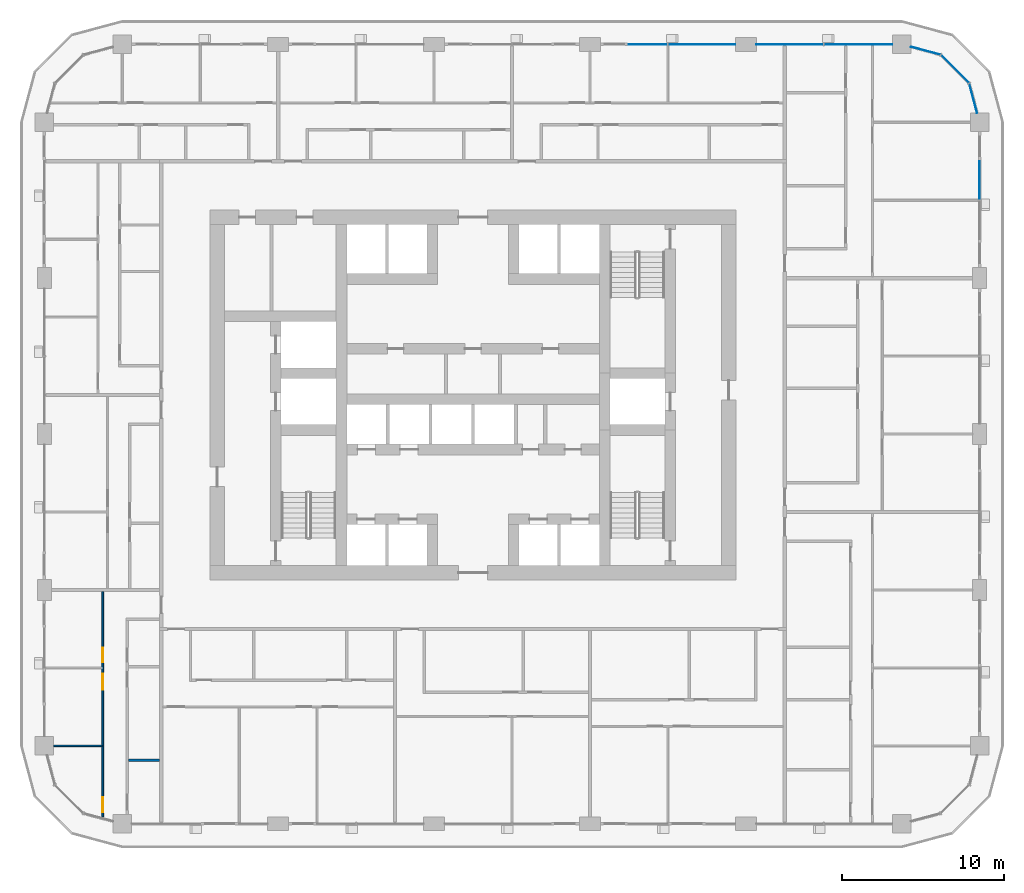
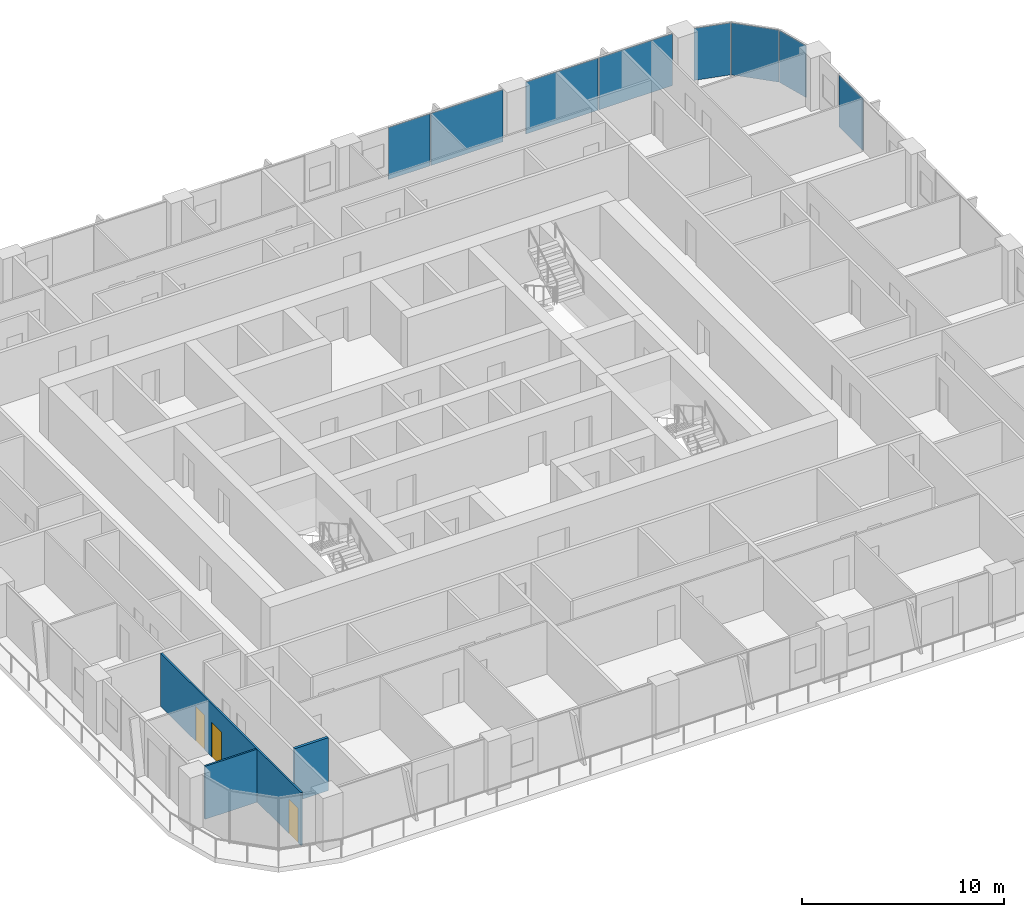
# One storey, part 8 of 22: 8 plates, 3 doors, 3 walls, 3 openings, 4 elements without a shape of their own.
"""IFC4 building model written with IfcOpenShell, lengths in metres."""

from ifc_helpers import new_model, si_unit, direction, frame, frame_2d, origin, origin_2d, place, context, subcontext, project, spatial, rectangle, extrude, material, layer, layer_set, type_object, element, fill, aggregate, save


model = new_model("IFC4")

# Units and contexts
model_context = context("Model", 3, precision=1e-05, world=origin(), true_north=direction((0.0, 1.0)))
body_context = subcontext(model_context, "Body", "Model", "MODEL_VIEW")
ifc_project = project(units=[si_unit("LENGTHUNIT", "METRE"), si_unit("AREAUNIT", "SQUARE_METRE"), si_unit("VOLUMEUNIT", "CUBIC_METRE"), si_unit("PLANEANGLEUNIT", "RADIAN"), si_unit("MASSUNIT", "GRAM", prefix="KILO")], contexts=[model_context])

# Site, building, storey
site_placement = place(None, origin())
site = spatial("IfcSite", under=ifc_project, at=site_placement, CompositionType="ELEMENT")
building_placement = place(site_placement, origin())
building = spatial("IfcBuilding", under=site, at=building_placement, Name="Madar Terraces", CompositionType="ELEMENT")
storey_placement = place(building_placement, frame((0.0, 0.0, 76.800048828125)))
storey = spatial("IfcBuildingStorey", under=building, at=storey_placement, Name="L19", CompositionType="ELEMENT", Elevation=76.800048828125)

# Curtain wall, plate
ifc_material_1 = material(Name="Glass, ceramic frit dark grey, with black aluminium frame", Category="aluminium")
ifc_layer_1 = layer(ifc_material_1, 0.199951171875)
ifc_layer_set_1 = layer_set([ifc_layer_1], Name="Facade curtain wall, fritted glass")
curtain_wall_type = type_object("IfcCurtainWallType", Name="Facade curtain wall, fritted glass", PredefinedType="NOTDEFINED", material=ifc_layer_set_1)
curtain_wall_1_placement = place(storey_placement, origin())
curtain_wall_1 = element("IfcCurtainWall", 1, at=curtain_wall_1_placement, inside=storey, type_object=curtain_wall_type, Name="Outer skin curtain wall east bay 4", PredefinedType="NOTDEFINED")
ifc_material_2 = material(Name="Glass, ceramic frit dark grey", Category="glass")
ifc_layer_2 = layer(ifc_material_2, 0.028076171875)
ifc_layer_set_2 = layer_set([ifc_layer_2], Name="Facade glass panel 28")
plate_type = type_object("IfcPlateType", Name="Facade glass panel 28", PredefinedType="CURTAIN_PANEL", material=ifc_layer_set_2)
plate_1_placement = place(storey_placement, frame((62.39990234375, 39.614990234375, 0.0), z_axis=(0.0, 0.0, 1.0), x_axis=(0.0, 1.0, 0.0)))
plate_1 = element("IfcPlate", 2, at=plate_1_placement, type_object=plate_type, Name="Panel 2", PredefinedType="CURTAIN_PANEL", context=body_context, shape_type="SweptSolid", body=[
    extrude(rectangle(XDim=2.3701171875, YDim=0.028076171875, at=origin_2d()), origin(), (0.0, 0.0, 1.0), 3.139892578125),
])
aggregate(curtain_wall_1, [plate_1])

# Curtain wall, plates
curtain_wall_2_placement = place(storey_placement, origin())
curtain_wall_2 = element("IfcCurtainWall", 3, at=curtain_wall_2_placement, inside=storey, type_object=curtain_wall_type, Name="Outer skin curtain wall north bay 1", PredefinedType="NOTDEFINED")
plate_2_placement = place(storey_placement, frame((54.927490234375, 48.0, 0.0), z_axis=(0.0, 0.0, 1.0), x_axis=(-1.0, 0.0, 0.0)))
plate_2 = element("IfcPlate", 4, at=plate_2_placement, type_object=plate_type, Name="Panel 1", PredefinedType="CURTAIN_PANEL", context=body_context, shape_type="SweptSolid", body=[
    extrude(rectangle(XDim=4.195068359375, YDim=0.028076171875, at=origin_2d()), origin(), (0.0, 0.0, 1.0), 3.139892578125),
])
plate_3_placement = place(storey_placement, frame((50.7099609375, 48.0, 0.0), z_axis=(0.0, 0.0, 1.0), x_axis=(-1.0, 0.0, 0.0)))
plate_3 = element("IfcPlate", 5, at=plate_3_placement, type_object=plate_type, Name="Panel 2", PredefinedType="CURTAIN_PANEL", context=body_context, shape_type="SweptSolid", body=[
    extrude(rectangle(XDim=4.1201171875, YDim=0.028076171875, at=origin_2d()), origin(), (0.0, 0.0, 1.0), 3.139892578125),
])
aggregate(curtain_wall_2, [plate_2, plate_3])

curtain_wall_3_placement = place(storey_placement, origin())
curtain_wall_3 = element("IfcCurtainWall", 6, at=curtain_wall_3_placement, inside=storey, type_object=curtain_wall_type, Name="Outer skin curtain wall north bay 2", PredefinedType="NOTDEFINED")
plate_4_placement = place(storey_placement, frame((45.2900390625, 48.0, 0.0), z_axis=(0.0, 0.0, 1.0), x_axis=(-1.0, 0.0, 0.0)))
plate_4 = element("IfcPlate", 7, at=plate_4_placement, type_object=plate_type, Name="Panel 1", PredefinedType="CURTAIN_PANEL", context=body_context, shape_type="SweptSolid", body=[
    extrude(rectangle(XDim=4.1201171875, YDim=0.028076171875, at=origin_2d()), origin(), (0.0, 0.0, 1.0), 3.139892578125),
])
plate_5_placement = place(storey_placement, frame((41.985107421875, 48.0, 0.0), z_axis=(0.0, 0.0, 1.0), x_axis=(-1.0, 0.0, 0.0)))
plate_5 = element("IfcPlate", 8, at=plate_5_placement, type_object=plate_type, Name="Panel 2", PredefinedType="CURTAIN_PANEL", context=body_context, shape_type="SweptSolid", body=[
    extrude(rectangle(XDim=2.3701171875, YDim=0.028076171875, at=origin_2d()), origin(), (0.0, 0.0, 1.0), 3.139892578125),
])
aggregate(curtain_wall_3, [plate_4, plate_5])

curtain_wall_4_placement = place(storey_placement, origin())
curtain_wall_4 = element("IfcCurtainWall", 9, at=curtain_wall_4_placement, inside=storey, type_object=curtain_wall_type, Name="Outer skin curtain wall north-east corner", PredefinedType="NOTDEFINED")
plate_6_placement = place(storey_placement, frame((62.00537109375, 44.673095703125, 0.0), z_axis=(0.0, 0.0, 1.0), x_axis=(-0.258819021888, 0.965925832509, 0.0)))
plate_6 = element("IfcPlate", 10, at=plate_6_placement, type_object=plate_type, Name="Panel 1", PredefinedType="CURTAIN_PANEL", context=body_context, shape_type="SweptSolid", body=[
    extrude(rectangle(XDim=1.859375, YDim=0.028076171875, at=origin_2d()), origin(), (0.0, 0.0, 1.0), 3.139892578125),
])
plate_7_placement = place(storey_placement, frame((60.87841796875, 46.478515625, 0.0), z_axis=(0.0, 0.0, 1.0), x_axis=(-0.707106781187, 0.707106781187, 0.0)))
plate_7 = element("IfcPlate", 11, at=plate_7_placement, type_object=plate_type, Name="Panel 2", PredefinedType="CURTAIN_PANEL", context=body_context, shape_type="SweptSolid", body=[
    extrude(rectangle(XDim=2.424560546875, YDim=0.028076171875, at=origin_2d()), origin(), (0.0, 0.0, 1.0), 3.139892578125),
])
plate_8_placement = place(storey_placement, frame((59.072998046875, 47.605224609375, 0.0), z_axis=(0.0, 0.0, 1.0), x_axis=(-0.965925832509, 0.258819021888, 0.0)))
plate_8 = element("IfcPlate", 12, at=plate_8_placement, type_object=plate_type, Name="Panel 3", PredefinedType="CURTAIN_PANEL", context=body_context, shape_type="SweptSolid", body=[
    extrude(rectangle(XDim=1.859375, YDim=0.028076171875, at=origin_2d()), origin(), (0.0, 0.0, 1.0), 3.139892578125),
])
aggregate(curtain_wall_4, [plate_6, plate_7, plate_8])

# Wall
ifc_material_3 = material(Name="Gypsum board on steel studs", Category="steel")
ifc_layer_3 = layer(ifc_material_3, 0.10009765625)
ifc_layer_set_3 = layer_set([ifc_layer_3], Name="Flat partition 100")
wall_type_1 = type_object("IfcWallType", Name="Flat partition 100", PredefinedType="PARTITIONING", material=ifc_layer_set_3)
wall_1_placement = place(storey_placement, frame((8.35009765625, 4.800048828125, 0.0), z_axis=(0.0, 0.0, 1.0), x_axis=(-1.0, 0.0, 0.0)))
element("IfcWall", 13, at=wall_1_placement, inside=storey, type_object=wall_type_1, Name="Flat partition 100", PredefinedType="PARTITIONING", context=body_context, shape_type="SweptSolid", body=[
    extrude(rectangle(XDim=2.97509765625, YDim=0.10009765625, at=frame_2d((1.487548828125, 0.0))), origin(), (0.0, 0.0, 1.0), 3.199951171875),
])

# Wall, openings, doors
wall_2_placement = place(storey_placement, frame((8.39990234375, 0.42138671875, 0.0), z_axis=(0.0, 0.0, 1.0), x_axis=(0.0, 1.0, 0.0)))
wall_2 = element("IfcWall", 14, at=wall_2_placement, inside=storey, type_object=wall_type_1, Name="Flat partition 100", PredefinedType="PARTITIONING", context=body_context, shape_type="SweptSolid", body=[
    extrude(rectangle(XDim=13.878662109375, YDim=0.10009765625, at=frame_2d((6.939453125, 0.0))), origin(), (0.0, 0.0, 1.0), 3.199951171875),
])
opening_1_placement = place(wall_2_placement, frame((9.528564453125, 0.0, 0.0)))
opening_1 = element("IfcOpeningElement", 15, at=opening_1_placement, cuts=wall_2, Name="Opening D2", PredefinedType="OPENING", context=body_context, shape_type="SweptSolid", body=[
    extrude(rectangle(XDim=0.89990234375, YDim=2.10009765625, at=frame_2d((0.449951171875, 1.050048828125))), frame((0.0, 0.06005859375, 0.0), z_axis=(0.0, -1.0, 0.0), x_axis=(1.0, 0.0, 0.0)), (0.0, 0.0, 1.0), 0.1201171875),
])
opening_2_placement = place(wall_2_placement, frame((7.82861328125, 0.0, 0.0)))
opening_2 = element("IfcOpeningElement", 16, at=opening_2_placement, cuts=wall_2, Name="Opening D3", PredefinedType="OPENING", context=body_context, shape_type="SweptSolid", body=[
    extrude(rectangle(XDim=1.0, YDim=2.10009765625, at=frame_2d((0.5, 1.050048828125))), frame((0.0, 0.06005859375, 0.0), z_axis=(0.0, -1.0, 0.0), x_axis=(1.0, 0.0, 0.0)), (0.0, 0.0, 1.0), 0.1201171875),
])
opening_3_placement = place(wall_2_placement, frame((0.300048828125, 0.0, 0.0)))
opening_3 = element("IfcOpeningElement", 17, at=opening_3_placement, cuts=wall_2, Name="Opening D2", PredefinedType="OPENING", context=body_context, shape_type="SweptSolid", body=[
    extrude(rectangle(XDim=0.89990234375, YDim=2.10009765625, at=frame_2d((0.449951171875, 1.050048828125))), frame((0.0, 0.06005859375, 0.0), z_axis=(0.0, -1.0, 0.0), x_axis=(1.0, 0.0, 0.0)), (0.0, 0.0, 1.0), 0.1201171875),
])
ifc_material_4 = material(Name="Timber door leaf", Category="wood")
door_type_1 = type_object("IfcDoorType", Name="Flat living room door 1000", OperationType="NOTDEFINED", PredefinedType="DOOR", material=ifc_material_4)
door_1_placement = place(opening_2_placement, origin())
door_1 = element("IfcDoor", 18, at=door_1_placement, inside=storey, type_object=door_type_1, Name="Flat living room door 1000", OperationType="SINGLE_SWING_RIGHT", OverallHeight=2.10009765625, OverallWidth=1.0, PredefinedType="DOOR", context=body_context, shape_type="SweptSolid", body=[
    extrude(rectangle(XDim=1.0, YDim=2.10009765625, at=frame_2d((0.5, 1.050048828125))), frame((0.0, 0.02490234375, 0.0), z_axis=(0.0, -1.0, 0.0), x_axis=(1.0, 0.0, 0.0)), (0.0, 0.0, 1.0), 0.050048828125),
])
fill(opening_2, door_1)
ifc_material_5 = material(Name="Timber door leaf", Category="wood")
door_type_2 = type_object("IfcDoorType", Name="Flat room door 900", OperationType="NOTDEFINED", PredefinedType="DOOR", material=ifc_material_5)
door_2_placement = place(opening_1_placement, origin())
door_2 = element("IfcDoor", 19, at=door_2_placement, inside=storey, type_object=door_type_2, Name="Flat room door 900", OperationType="SINGLE_SWING_LEFT", OverallHeight=2.10009765625, OverallWidth=0.89990234375, PredefinedType="DOOR", context=body_context, shape_type="SweptSolid", body=[
    extrude(rectangle(XDim=0.89990234375, YDim=2.10009765625, at=frame_2d((0.449951171875, 1.050048828125))), frame((0.0, 0.02490234375, 0.0), z_axis=(0.0, -1.0, 0.0), x_axis=(1.0, 0.0, 0.0)), (0.0, 0.0, 1.0), 0.050048828125),
])
fill(opening_1, door_2)
door_3_placement = place(opening_3_placement, origin())
door_3 = element("IfcDoor", 20, at=door_3_placement, inside=storey, type_object=door_type_2, Name="Flat room door 900", OperationType="SINGLE_SWING_LEFT", OverallHeight=2.10009765625, OverallWidth=0.89990234375, PredefinedType="DOOR", context=body_context, shape_type="SweptSolid", body=[
    extrude(rectangle(XDim=0.89990234375, YDim=2.10009765625, at=frame_2d((0.449951171875, 1.050048828125))), frame((0.0, 0.02490234375, 0.0), z_axis=(0.0, -1.0, 0.0), x_axis=(1.0, 0.0, 0.0)), (0.0, 0.0, 1.0), 0.050048828125),
])
fill(opening_3, door_3)

# Wall
ifc_material_6 = material(Name="Lightweight blockwork", Category="masonry")
ifc_layer_4 = layer(ifc_material_6, 0.14990234375)
ifc_layer_set_4 = layer_set([ifc_layer_4], Name="Flat wet-room partition 150")
wall_type_2 = type_object("IfcWallType", Name="Flat wet-room partition 150", PredefinedType="PARTITIONING", material=ifc_layer_set_4)
wall_3_placement = place(storey_placement, frame((11.89990234375, 3.923095703125, 0.0), z_axis=(0.0, 0.0, 1.0), x_axis=(-1.0, 0.0, 0.0)))
element("IfcWall", 21, at=wall_3_placement, inside=storey, type_object=wall_type_2, Name="Flat wet-room partition 150", PredefinedType="PARTITIONING", context=body_context, shape_type="SweptSolid", body=[
    extrude(rectangle(XDim=1.9248046875, YDim=0.14990234375, at=frame_2d((0.96240234375, 0.0))), origin(), (0.0, 0.0, 1.0), 3.199951171875),
])

save(model, "model.ifc")
